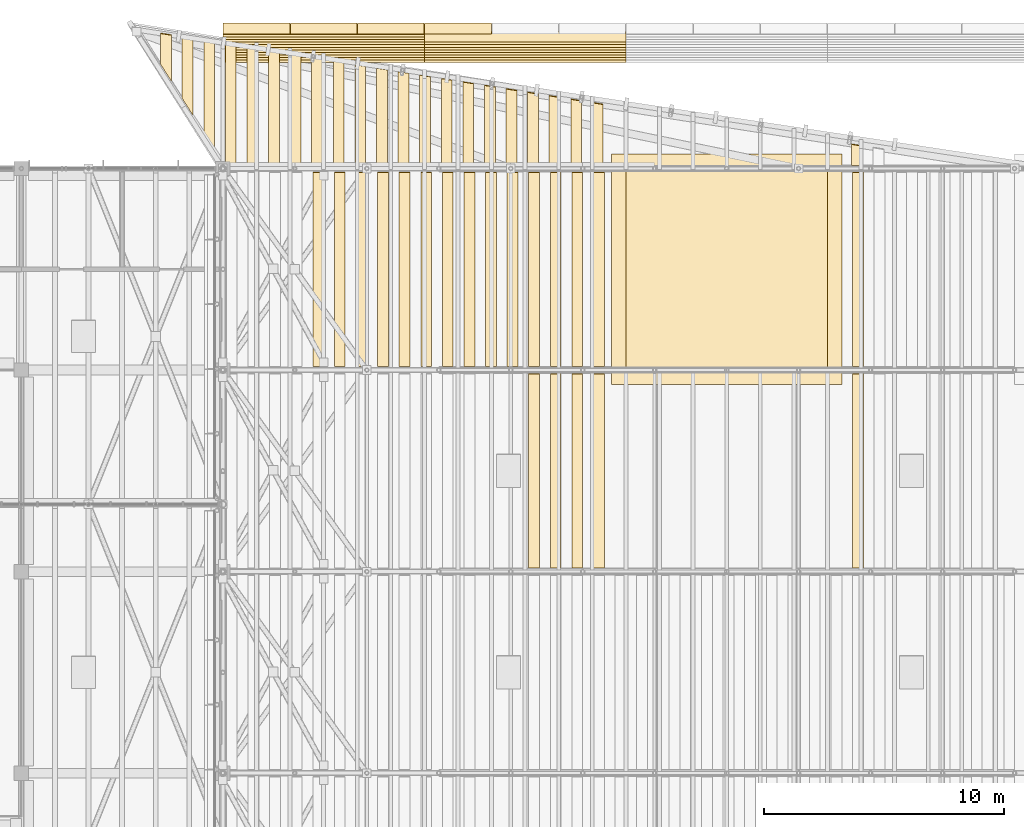
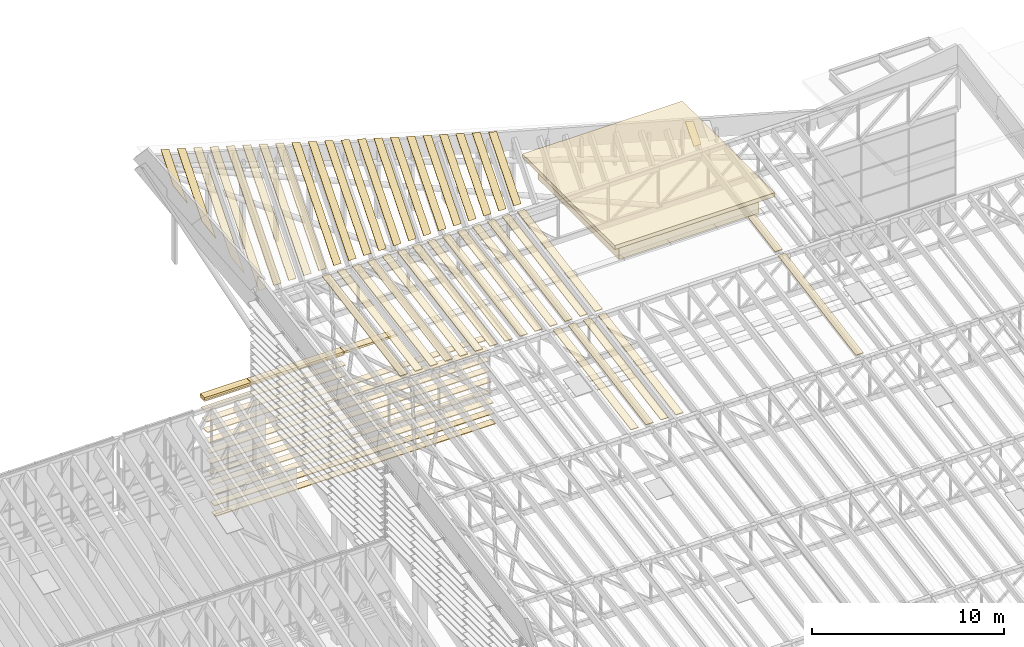
# One storey, part 86 of 91: 69 coverings.
"""IFC4 building model written with IfcOpenShell, lengths in metres."""

from ifc_helpers import new_model, si_unit, direction, frame, origin, origin_2d, place, context, subcontext, project, spatial, polyline, rectangle, outline, extrude, material, layer, layer_set, material_profile, profile_set, type_object, element, save


model = new_model("IFC4")

# Units and contexts
model_context = context("Model", 3, precision=1e-05, world=origin(), true_north=direction((0.0, 1.0)))
body_context = subcontext(model_context, "Body", "Model", "MODEL_VIEW")
ifc_project = project(units=[si_unit("LENGTHUNIT", "METRE"), si_unit("AREAUNIT", "SQUARE_METRE"), si_unit("VOLUMEUNIT", "CUBIC_METRE"), si_unit("PLANEANGLEUNIT", "RADIAN"), si_unit("MASSUNIT", "GRAM", prefix="KILO")], contexts=[model_context])

# Site, building, storey
site_placement = place(None, origin())
site = spatial("IfcSite", under=ifc_project, at=site_placement, CompositionType="ELEMENT")
building_placement = place(site_placement, origin())
building = spatial("IfcBuilding", under=site, at=building_placement, Name="Almond Square Museum", CompositionType="ELEMENT")
storey_placement = place(building_placement, frame((0.0, 0.0, 30.0)))
storey = spatial("IfcBuildingStorey", under=building, at=storey_placement, Name="L05", CompositionType="ELEMENT", Elevation=30.0)

# Coverings
ifc_material_1 = material(Name="Cedar timber roof board", Category="wood")
ifc_layer_1 = layer(ifc_material_1, 0.0400390625)
ifc_layer_set_1 = layer_set([ifc_layer_1], Name="Cedar timber roof board")
covering_type_1 = type_object("IfcCoveringType", Name="Hall roof board 450 x 40", PredefinedType="CLADDING", material=ifc_layer_set_1)
for number, where, z_axis, x_axis, name in (
    (1, (120.0, 100.64990234375, 15.293701171875), (0.0, -0.17238105195, 0.985030341121), (-1.0, 0.0, 0.0), "Hall roof board"),
    (2, (120.89990234375, 100.64990234375, 15.293701171875), (0.0, -0.17238105195, 0.985030341121), (-1.0, 0.0, 0.0), "Hall roof board"),
    (3, (121.800048828125, 100.64990234375, 15.293701171875), (0.0, -0.17238105195, 0.985030341121), (-1.0, 0.0, 0.0), "Hall roof board"),
    (4, (122.699951171875, 100.64990234375, 15.293701171875), (0.0, -0.17238105195, 0.985030341121), (-1.0, 0.0, 0.0), "Hall roof board"),
    (5, (133.5, 100.64990234375, 15.293701171875), (0.0, -0.17238105195, 0.985030341121), (-1.0, 0.0, 0.0), "Hall roof board"),
):
    element("IfcCovering", number, at=place(storey_placement, frame(where, z_axis=z_axis, x_axis=x_axis)), inside=storey, type_object=covering_type_1, Name=name, PredefinedType="CLADDING", context=body_context, shape_type="SweptSolid", body=[
        extrude(outline(polyline([(0.0, 0.0), (0.449951171875, 0.0), (0.449951171875, 8.22294824584652), (0.0, 8.22294824584652), (0.0, 0.0)])), origin(), (0.0, 0.0, 1.0), 0.0400390625),
    ])
for number, where, z_axis, x_axis, name in (
    (6, (111.0, 109.050048828125, 16.763916015625), (0.0, -0.172404817585, 0.985026181821), (-1.0, 0.0, 0.0), "Hall roof board"),
    (7, (111.89990234375, 109.050048828125, 16.763916015625), (0.0, -0.172404817585, 0.985026181821), (-1.0, 0.0, 0.0), "Hall roof board"),
    (8, (112.800048828125, 109.050048828125, 16.763916015625), (0.0, -0.172404817585, 0.985026181821), (-1.0, 0.0, 0.0), "Hall roof board"),
    (9, (113.699951171875, 109.050048828125, 16.763916015625), (0.0, -0.172404817585, 0.985026181821), (-1.0, 0.0, 0.0), "Hall roof board"),
):
    element("IfcCovering", number, at=place(storey_placement, frame(where, z_axis=z_axis, x_axis=x_axis)), inside=storey, type_object=covering_type_1, Name=name, PredefinedType="CLADDING", context=body_context, shape_type="SweptSolid", body=[
        extrude(outline(polyline([(0.0, 0.0), (0.449951171875, 0.0), (0.449951171875, 8.2232308193808), (0.0, 8.2232308193808), (0.0, 0.0)])), origin(), (0.0, 0.0, 1.0), 0.0400390625),
    ])
covering_1_placement = place(storey_placement, frame((114.60009765625, 109.050048828125, 16.763916015625), z_axis=(0.0, -0.172404817585, 0.985026181821), x_axis=(-1.0, 0.0, 0.0)))
element("IfcCovering", 10, at=covering_1_placement, inside=storey, type_object=covering_type_1, Name="Hall roof board", PredefinedType="CLADDING", context=body_context, shape_type="SweptSolid", body=[
    extrude(outline(polyline([(0.0, 0.0), (0.4501953125, 0.0), (0.4501953125, 8.2232308193808), (0.0, 8.2232308193808), (0.0, 0.0)])), origin(), (0.0, 0.0, 1.0), 0.0400390625),
])
for number, where, z_axis, x_axis, name in (
    (11, (115.5, 109.050048828125, 16.763916015625), (0.0, -0.172404817585, 0.985026181821), (-1.0, 0.0, 0.0), "Hall roof board"),
    (12, (116.39990234375, 109.050048828125, 16.763916015625), (0.0, -0.172404817585, 0.985026181821), (-1.0, 0.0, 0.0), "Hall roof board"),
    (13, (117.300048828125, 109.050048828125, 16.763916015625), (0.0, -0.172404817585, 0.985026181821), (-1.0, 0.0, 0.0), "Hall roof board"),
    (14, (118.199951171875, 109.050048828125, 16.763916015625), (0.0, -0.172404817585, 0.985026181821), (-1.0, 0.0, 0.0), "Hall roof board"),
):
    element("IfcCovering", number, at=place(storey_placement, frame(where, z_axis=z_axis, x_axis=x_axis)), inside=storey, type_object=covering_type_1, Name=name, PredefinedType="CLADDING", context=body_context, shape_type="SweptSolid", body=[
        extrude(outline(polyline([(0.0, 0.0), (0.449951171875, 0.0), (0.449951171875, 8.2232308193808), (0.0, 8.2232308193808), (0.0, 0.0)])), origin(), (0.0, 0.0, 1.0), 0.0400390625),
    ])
covering_2_placement = place(storey_placement, frame((119.10009765625, 109.050048828125, 16.763916015625), z_axis=(0.0, -0.172404817585, 0.985026181821), x_axis=(-1.0, 0.0, 0.0)))
element("IfcCovering", 15, at=covering_2_placement, inside=storey, type_object=covering_type_1, Name="Hall roof board", PredefinedType="CLADDING", context=body_context, shape_type="SweptSolid", body=[
    extrude(outline(polyline([(0.0, 0.0), (0.4501953125, 0.0), (0.4501953125, 8.2232308193808), (0.0, 8.2232308193808), (0.0, 0.0)])), origin(), (0.0, 0.0, 1.0), 0.0400390625),
])
for number, where, z_axis, x_axis, name in (
    (16, (120.0, 109.050048828125, 16.763916015625), (0.0, -0.172404817585, 0.985026181821), (-1.0, 0.0, 0.0), "Hall roof board"),
    (17, (120.89990234375, 109.050048828125, 16.763916015625), (0.0, -0.172404817585, 0.985026181821), (-1.0, 0.0, 0.0), "Hall roof board"),
    (18, (121.800048828125, 109.050048828125, 16.763916015625), (0.0, -0.172404817585, 0.985026181821), (-1.0, 0.0, 0.0), "Hall roof board"),
    (19, (122.699951171875, 109.050048828125, 16.763916015625), (0.0, -0.172404817585, 0.985026181821), (-1.0, 0.0, 0.0), "Hall roof board"),
    (20, (133.5, 109.050048828125, 16.763916015625), (0.0, -0.172404817585, 0.985026181821), (-1.0, 0.0, 0.0), "Hall roof board"),
):
    element("IfcCovering", number, at=place(storey_placement, frame(where, z_axis=z_axis, x_axis=x_axis)), inside=storey, type_object=covering_type_1, Name=name, PredefinedType="CLADDING", context=body_context, shape_type="SweptSolid", body=[
        extrude(outline(polyline([(0.0, 0.0), (0.449951171875, 0.0), (0.449951171875, 8.2232308193808), (0.0, 8.2232308193808), (0.0, 0.0)])), origin(), (0.0, 0.0, 1.0), 0.0400390625),
    ])
covering_3_placement = place(storey_placement, frame((104.65478515625, 114.78271484375, 23.443115234375), z_axis=(0.000283157404, -0.766028266643, 0.642806825202), x_axis=(-0.970356289349, 0.155142250333, 0.185309346453)))
element("IfcCovering", 21, at=covering_3_placement, inside=storey, type_object=covering_type_1, Name="Hall roof board", PredefinedType="CLADDING", context=body_context, shape_type="SweptSolid", body=[
    extrude(outline(polyline([(0.0, 0.0), (0.4639484500387893, -1.3877787807814457e-17), (-0.01600793783809873, 1.9270573930978667), (-0.7200213823878043, 2.890934433563722), (0.0, 0.0)])), origin(), (0.0, 0.0, 1.0), 0.0400390625),
])
covering_4_placement = place(storey_placement, frame((105.5546875, 114.63818359375, 23.27099609375), z_axis=(0.000224098135, -0.766040524034, 0.642792241177), x_axis=(-0.970151291048, 0.155710810429, 0.185904857368)))
element("IfcCovering", 22, at=covering_4_placement, inside=storey, type_object=covering_type_1, Name="Hall roof board", PredefinedType="CLADDING", context=body_context, shape_type="SweptSolid", body=[
    extrude(outline(polyline([(0.0, 0.0), (0.4637948349462297, 0.0), (-0.4995102208420264, 3.8538156237456507), (-1.2041028082343872, 4.817155336435556), (0.0, 0.0)])), origin(), (0.0, 0.0, 1.0), 0.0400390625),
])
covering_5_placement = place(storey_placement, frame((106.45458984375, 114.493896484375, 23.09912109375), z_axis=(2.019333e-05, -0.766054564323, 0.642775547195), x_axis=(-0.970325567005, 0.155409517617, 0.185246257319)))
element("IfcCovering", 23, at=covering_5_placement, inside=storey, type_object=covering_type_1, Name="Hall roof board", PredefinedType="CLADDING", context=body_context, shape_type="SweptSolid", body=[
    extrude(outline(polyline([(0.0, 0.0), (0.4637115503572531, -2.7755575615628914e-17), (-0.9770289598256388, 5.781533313685835), (-1.680966067348891, 6.745532081410319), (0.0, 0.0)])), origin(), (0.0, 0.0, 1.0), 0.0400390625),
])
covering_6_placement = place(storey_placement, frame((107.354736328125, 114.349609375, 22.927001953125), z_axis=(7.4241479e-05, -0.766050702434, 0.642780145765), x_axis=(-0.970325565043, 0.155370453714, 0.185279032644)))
element("IfcCovering", 24, at=covering_6_placement, inside=storey, type_object=covering_type_1, Name="Hall roof board", PredefinedType="CLADDING", context=body_context, shape_type="SweptSolid", body=[
    extrude(outline(polyline([(0.0, 0.0), (0.4637115526635254, -1.3877787807814457e-17), (-1.4441164371216022, 7.655904096574314), (-1.880715562212814, 7.547104924126278), (0.0, 0.0)])), origin(), (0.0, 0.0, 1.0), 0.0400390625),
])
covering_7_placement = place(storey_placement, frame((108.254638671875, 114.205078125, 22.7548828125), z_axis=(-0.00013342144, -0.766049851918, 0.642781149829), x_axis=(-0.970246112092, 0.155729832006, 0.185393369338)))
element("IfcCovering", 25, at=covering_7_placement, inside=storey, type_object=covering_type_1, Name="Hall roof board", PredefinedType="CLADDING", context=body_context, shape_type="SweptSolid", body=[
    extrude(outline(polyline([(0.0, 0.0), (0.4637495314613259, 1.3877787807814457e-17), (-1.3922125751913288, 7.437363005688504), (-1.8287759503341596, 7.328420484368275), (0.0, 0.0)])), origin(), (0.0, 0.0, 1.0), 0.0400390625),
])
covering_8_placement = place(storey_placement, frame((109.15478515625, 114.060791015625, 22.582763671875), z_axis=(7.4538919e-05, -0.766048959331, 0.642782223115), x_axis=(-0.970356324657, 0.155291369932, 0.18518421537)))
element("IfcCovering", 26, at=covering_8_placement, inside=storey, type_object=covering_type_1, Name="Hall roof board", PredefinedType="CLADDING", context=body_context, shape_type="SweptSolid", body=[
    extrude(outline(polyline([(0.0, 0.0), (0.4639484522969378, 0.0), (-1.3343068731937957, 7.220116510251335), (-1.7711567420092487, 7.111313889019964), (0.0, 0.0)])), origin(), (0.0, 0.0, 1.0), 0.0400390625),
])
covering_9_placement = place(storey_placement, frame((110.0546875, 113.916259765625, 22.41064453125), z_axis=(-0.000133062161, -0.766048001086, 0.64278335567), x_axis=(-0.970246111955, 0.155730099274, 0.185393145548)))
element("IfcCovering", 27, at=covering_9_placement, inside=storey, type_object=covering_type_1, Name="Hall roof board", PredefinedType="CLADDING", context=body_context, shape_type="SweptSolid", body=[
    extrude(outline(polyline([(0.0, 0.0), (0.4637495314822246, 1.3877787807814457e-17), (-1.2834154484007863, 7.001382245115495), (-1.7199788234821463, 6.8924397234599715), (0.0, 0.0)])), origin(), (0.0, 0.0, 1.0), 0.0400390625),
])
covering_10_placement = place(storey_placement, frame((110.95458984375, 113.77197265625, 22.238525390625), z_axis=(0.000247934396, -0.766054241193, 0.642775884799), x_axis=(-0.970230847318, 0.155484376043, 0.185679055684)))
element("IfcCovering", 28, at=covering_10_placement, inside=storey, type_object=covering_type_1, Name="Hall roof board", PredefinedType="CLADDING", context=body_context, shape_type="SweptSolid", body=[
    extrude(outline(polyline([(0.0, 0.0), (0.46375684794815747, -1.3877787807814457e-17), (-1.2294628867713635, 6.783390616084656), (-1.6660193935112666, 6.674420615398833), (0.0, 0.0)])), origin(), (0.0, 0.0, 1.0), 0.0400390625),
])
covering_11_placement = place(storey_placement, frame((111.854736328125, 113.62744140625, 22.06640625), z_axis=(4.0269636e-05, -0.766053424251, 0.642776904977), x_axis=(-0.97015131472, 0.155843703641, 0.185793343752)))
element("IfcCovering", 29, at=covering_11_placement, inside=storey, type_object=covering_type_1, Name="Hall roof board", PredefinedType="CLADDING", context=body_context, shape_type="SweptSolid", body=[
    extrude(outline(polyline([(0.0, 0.0), (0.4637948387820109, 1.3877787807814457e-17), (-1.1771869707799985, 6.5649414080954), (-1.613707691734278, 6.455828086631291), (0.0, 0.0)])), origin(), (0.0, 0.0, 1.0), 0.0400390625),
])
covering_12_placement = place(storey_placement, frame((112.754638671875, 113.483154296875, 21.89453125), z_axis=(-0.000133649876, -0.766051028709, 0.64277974731), x_axis=(-0.970246112179, 0.15572966207, 0.185393511627)))
element("IfcCovering", 30, at=covering_12_placement, inside=storey, type_object=covering_type_1, Name="Hall roof board", PredefinedType="CLADDING", context=body_context, shape_type="SweptSolid", body=[
    extrude(outline(polyline([(0.0, 0.0), (0.4637495314480088, 1.3877787807814457e-17), (-1.1202840222246135, 6.34766869678041), (-1.556847397406615, 6.238726175673837), (0.0, 0.0)])), origin(), (0.0, 0.0, 1.0), 0.0400390625),
])
covering_13_placement = place(storey_placement, frame((113.65478515625, 113.3388671875, 21.722412109375), z_axis=(7.4333925e-05, -0.766050017443, 0.642780962109), x_axis=(-0.970356324614, 0.155291217626, 0.185184343318)))
element("IfcCovering", 31, at=covering_13_placement, inside=storey, type_object=covering_type_1, Name="Hall roof board", PredefinedType="CLADDING", context=body_context, shape_type="SweptSolid", body=[
    extrude(outline(polyline([(0.0, 0.0), (0.46394845230360365, 1.3877787807814457e-17), (-1.062874804624085, 6.1302984260660764), (-1.4997246734199297, 6.021495804727553), (0.0, 0.0)])), origin(), (0.0, 0.0, 1.0), 0.0400390625),
])
covering_14_placement = place(storey_placement, frame((114.5546875, 113.1943359375, 21.55029296875), z_axis=(3.9519581e-05, -0.766057281803, 0.642772307614), x_axis=(-0.970151314634, 0.155843146353, 0.185793811651)))
element("IfcCovering", 32, at=covering_14_placement, inside=storey, type_object=covering_type_1, Name="Hall roof board", PredefinedType="CLADDING", context=body_context, shape_type="SweptSolid", body=[
    extrude(outline(polyline([(0.0, 0.0), (0.463794838795073, 0.0), (-1.0137997995711512, 5.911291733706915), (-1.4503205204870129, 5.802178412033588), (0.0, 0.0)])), origin(), (0.0, 0.0, 1.0), 0.0400390625),
])
covering_15_placement = place(storey_placement, frame((115.45458984375, 113.050048828125, 21.378173828125), z_axis=(4.1696219e-05, -0.766046087228, 0.642785648957), x_axis=(-0.970151314887, 0.155844763572, 0.185792453805)))
element("IfcCovering", 33, at=covering_15_placement, inside=storey, type_object=covering_type_1, Name="Hall roof board", PredefinedType="CLADDING", context=body_context, shape_type="SweptSolid", body=[
    extrude(outline(polyline([(0.0, 0.0), (0.46379483875648947, 2.7755575615628914e-17), (-0.9593349674719691, 5.693398778195055), (-1.3958556885013123, 5.584285457139727), (0.0, 0.0)])), origin(), (0.0, 0.0, 1.0), 0.0400390625),
])
covering_16_placement = place(storey_placement, frame((116.354736328125, 112.905517578125, 21.206298828125), z_axis=(-0.00013627009, -0.76606452656, 0.642763659969), x_axis=(-0.970246113188, 0.155727712843, 0.18539514367)))
element("IfcCovering", 34, at=covering_16_placement, inside=storey, type_object=covering_type_1, Name="Hall roof board", PredefinedType="CLADDING", context=body_context, shape_type="SweptSolid", body=[
    extrude(outline(polyline([(0.0, 0.0), (0.46374953129362956, 0.0), (-0.9027350107918166, 5.475888644683307), (-1.339298386427906, 5.366946126053557), (0.0, 0.0)])), origin(), (0.0, 0.0, 1.0), 0.0400390625),
])
covering_17_placement = place(storey_placement, frame((117.254638671875, 112.76123046875, 21.0341796875), z_axis=(-0.000133973989, -0.766052698372, 0.642777757369), x_axis=(-0.970246112303, 0.15572942096, 0.18539371351)))
element("IfcCovering", 35, at=covering_17_placement, inside=storey, type_object=covering_type_1, Name="Hall roof board", PredefinedType="CLADDING", context=body_context, shape_type="SweptSolid", body=[
    extrude(outline(polyline([(0.0, 0.0), (0.463749531429075, 0.0), (-0.8483554692525557, 5.257974387859023), (-1.2849188444902486, 5.14903186705622), (0.0, 0.0)])), origin(), (0.0, 0.0, 1.0), 0.0400390625),
])
covering_18_placement = place(storey_placement, frame((118.15478515625, 112.61669921875, 20.862060546875), z_axis=(-0.000135944811, -0.766063230911, 0.642765204228), x_axis=(-0.970276951225, 0.155648395763, 0.185300336802)))
element("IfcCovering", 36, at=covering_18_placement, inside=storey, type_object=covering_type_1, Name="Hall roof board", PredefinedType="CLADDING", context=body_context, shape_type="SweptSolid", body=[
    extrude(outline(polyline([(0.0, 0.0), (0.46398641156203396, 2.7755575615628914e-17), (-0.7930589131400461, 5.040068071189283), (-1.2298730484081548, 4.931122089706271), (0.0, 0.0)])), origin(), (0.0, 0.0, 1.0), 0.0400390625),
])
covering_19_placement = place(storey_placement, frame((119.0546875, 112.472412109375, 20.68994140625), z_axis=(-0.000133501002, -0.766050261781, 0.642780661348), x_axis=(-0.970246112122, 0.155729772819, 0.185393418896)))
element("IfcCovering", 37, at=covering_19_placement, inside=storey, type_object=covering_type_1, Name="Hall roof board", PredefinedType="CLADDING", context=body_context, shape_type="SweptSolid", body=[
    extrude(outline(polyline([(0.0, 0.0), (0.46374953145669034, 1.3877787807814457e-17), (-0.7395583424682444, 4.8219936272562025), (-1.1761217176247105, 4.7130511060103455), (0.0, 0.0)])), origin(), (0.0, 0.0, 1.0), 0.0400390625),
])
covering_20_placement = place(storey_placement, frame((119.95458984375, 112.328125, 20.517822265625), z_axis=(4.1555322e-05, -0.766046811874, 0.64278478536), x_axis=(-0.97015131487, 0.155844658888, 0.185792541702)))
element("IfcCovering", 38, at=covering_20_placement, inside=storey, type_object=covering_type_1, Name="Hall roof board", PredefinedType="CLADDING", context=body_context, shape_type="SweptSolid", body=[
    extrude(outline(polyline([(0.0, 0.0), (0.4637948387590497, 0.0), (-0.6869800914392543, 4.603810945052919), (-1.1235008124610675, 4.494697623956585), (0.0, 0.0)])), origin(), (0.0, 0.0, 1.0), 0.0400390625),
])
covering_21_placement = place(storey_placement, frame((120.854736328125, 112.18359375, 20.345703125), z_axis=(3.9255895e-05, -0.766058637934, 0.642770691386), x_axis=(-0.970151314605, 0.155842950434, 0.185793976141)))
element("IfcCovering", 39, at=covering_21_placement, inside=storey, type_object=covering_type_1, Name="Hall roof board", PredefinedType="CLADDING", context=body_context, shape_type="SweptSolid", body=[
    extrude(outline(polyline([(0.0, 0.0), (0.4637948387996067, 1.3877787807814457e-17), (-0.6324772187281313, 4.385765742331137), (-1.0689979396306586, 4.276652420585194), (0.0, 0.0)])), origin(), (0.0, 0.0, 1.0), 0.0400390625),
])
covering_22_placement = place(storey_placement, frame((121.754638671875, 112.039306640625, 20.173583984375), z_axis=(4.2225826e-05, -0.766043363391, 0.642788895067), x_axis=(-0.97015131495, 0.155845157057, 0.185792123413)))
element("IfcCovering", 40, at=covering_22_placement, inside=storey, type_object=covering_type_1, Name="Hall roof board", PredefinedType="CLADDING", context=body_context, shape_type="SweptSolid", body=[
    extrude(outline(polyline([(0.0, 0.0), (0.4637948387467888, 1.3877787807814457e-17), (-0.5780123866154994, 4.167872786810905), (-1.0145331076733743, 4.058759465910955), (0.0, 0.0)])), origin(), (0.0, 0.0, 1.0), 0.0400390625),
])
covering_23_placement = place(storey_placement, frame((122.65478515625, 111.89501953125, 20.001708984375), z_axis=(7.3579907e-05, -0.766053909429, 0.642776323798), x_axis=(-0.970356324455, 0.155290657402, 0.185184813941)))
element("IfcCovering", 41, at=covering_23_placement, inside=storey, type_object=covering_type_1, Name="Hall roof board", PredefinedType="CLADDING", context=body_context, shape_type="SweptSolid", body=[
    extrude(outline(polyline([(0.0, 0.0), (0.46394845232796456, 0.0), (-0.5200106674957008, 3.9506622578805946), (-0.9568605362198856, 3.841859636150474), (0.0, 0.0)])), origin(), (0.0, 0.0, 1.0), 0.0400390625),
])
covering_24_placement = place(storey_placement, frame((133.45458984375, 110.162353515625, 17.936767578125), z_axis=(3.9693941e-05, -0.766056385064, 0.642773376336), x_axis=(-0.970151314654, 0.155843275902, 0.185793702882)))
element("IfcCovering", 42, at=covering_24_placement, inside=storey, type_object=covering_type_1, Name="Hall roof board", PredefinedType="CLADDING", context=body_context, shape_type="SweptSolid", body=[
    extrude(outline(polyline([(0.0, 0.0), (0.46379483879205846, -1.3877787807814457e-17), (0.13008453663374567, 1.33504744599152), (-0.30643618429098235, 1.2259341243664776), (0.0, 0.0)])), origin(), (0.0, 0.0, 1.0), 0.0400390625),
])
ifc_material_2 = material(Name="Timber deck and zinc standing seam", Category="wood")
ifc_layer_2 = layer(ifc_material_2, 0.25)
ifc_layer_set_2 = layer_set([ifc_layer_2], Name="Timber deck and zinc standing seam")
covering_type_2 = type_object("IfcCoveringType", Name="Head house cap, timber and zinc", PredefinedType="CLADDING", material=ifc_layer_set_2)
covering_25_placement = place(storey_placement, frame((127.800048828125, 105.0, 19.489990234375), z_axis=(0.0, 0.0, 1.0), x_axis=(1.0, 0.0, 0.0)))
element("IfcCovering", 43, at=covering_25_placement, inside=storey, type_object=covering_type_2, Name="Head house roof cap H4", PredefinedType="CLADDING", context=body_context, shape_type="SweptSolid", body=[
    extrude(rectangle(XDim=9.60009765625, YDim=9.60009765625, at=origin_2d()), origin(), (0.0, 0.0, 1.0), 0.25),
])
ifc_material_3 = material(Name="Zinc standing seam cladding")
ifc_layer_3 = layer(ifc_material_3, 1.199951171875)
ifc_layer_set_3 = layer_set([ifc_layer_3], Name="Zinc standing seam cladding")
covering_type_3 = type_object("IfcCoveringType", Name="Lift overrun cladding 1200", PredefinedType="CLADDING", material=ifc_layer_set_3)
covering_26_placement = place(storey_placement, frame((127.800048828125, 105.0, 18.2900390625), z_axis=(0.0, 0.0, 1.0), x_axis=(1.0, 0.0, 0.0)))
element("IfcCovering", 44, at=covering_26_placement, inside=storey, type_object=covering_type_3, Name="Lift overrun cladding H4", PredefinedType="CLADDING", context=body_context, shape_type="SweptSolid", body=[
    extrude(rectangle(XDim=8.39990234375, YDim=8.39990234375, at=origin_2d()), origin(), (0.0, 0.0, 1.0), 1.199951171875),
])
ifc_material_4 = material(Name="Cedar timber louvre board", Category="wood")
ifc_material_profile_1 = material_profile(ifc_material_4, rectangle(XDim=0.449951171875, YDim=0.050048828125, at=origin_2d()))
ifc_profile_set_1 = profile_set([ifc_material_profile_1], Name="Cedar timber louvre board")
covering_type_4 = type_object("IfcCoveringType", Name="Louvre board 450 x 50", PredefinedType="CLADDING", material=ifc_profile_set_1)
covering_27_placement = place(storey_placement, frame((106.800048828125, 113.843994140625, 0.10009765625), z_axis=(1.0, 0.0, 0.0), x_axis=(0.0, 1.0, 0.0)))
element("IfcCovering", 45, at=covering_27_placement, inside=storey, type_object=covering_type_4, Name="Louvre board N39.01", PredefinedType="CLADDING", context=body_context, shape_type="SweptSolid", body=[
    extrude(rectangle(XDim=0.449951171875, YDim=0.050048828125, at=origin_2d()), origin(), (0.0, 0.0, 1.0), 8.39990234375),
])
covering_28_placement = place(storey_placement, frame((115.199951171875, 113.843994140625, 0.10009765625), z_axis=(1.0, 0.0, 0.0), x_axis=(0.0, 1.0, 0.0)))
element("IfcCovering", 46, at=covering_28_placement, inside=storey, type_object=covering_type_4, Name="Louvre board N39.02", PredefinedType="CLADDING", context=body_context, shape_type="SweptSolid", body=[
    extrude(rectangle(XDim=0.449951171875, YDim=0.050048828125, at=origin_2d()), origin(), (0.0, 0.0, 1.0), 8.400146484375),
])
covering_29_placement = place(storey_placement, frame((106.800048828125, 113.949951171875, 0.699951171875), z_axis=(1.0, 0.0, 0.0), x_axis=(0.0, 1.0, 0.0)))
element("IfcCovering", 47, at=covering_29_placement, inside=storey, type_object=covering_type_4, Name="Louvre board N40.01", PredefinedType="CLADDING", context=body_context, shape_type="SweptSolid", body=[
    extrude(rectangle(XDim=0.449951171875, YDim=0.050048828125, at=origin_2d()), origin(), (0.0, 0.0, 1.0), 8.39990234375),
])
covering_30_placement = place(storey_placement, frame((115.199951171875, 113.949951171875, 0.699951171875), z_axis=(1.0, 0.0, 0.0), x_axis=(0.0, 1.0, 0.0)))
element("IfcCovering", 48, at=covering_30_placement, inside=storey, type_object=covering_type_4, Name="Louvre board N40.02", PredefinedType="CLADDING", context=body_context, shape_type="SweptSolid", body=[
    extrude(rectangle(XDim=0.449951171875, YDim=0.050048828125, at=origin_2d()), origin(), (0.0, 0.0, 1.0), 8.400146484375),
])
covering_31_placement = place(storey_placement, frame((106.800048828125, 114.0556640625, 1.300048828125), z_axis=(1.0, 0.0, 0.0), x_axis=(0.0, 1.0, 0.0)))
element("IfcCovering", 49, at=covering_31_placement, inside=storey, type_object=covering_type_4, Name="Louvre board N41.01", PredefinedType="CLADDING", context=body_context, shape_type="SweptSolid", body=[
    extrude(rectangle(XDim=0.449951171875, YDim=0.050048828125, at=origin_2d()), origin(), (0.0, 0.0, 1.0), 8.39990234375),
])
covering_32_placement = place(storey_placement, frame((115.199951171875, 114.0556640625, 1.300048828125), z_axis=(1.0, 0.0, 0.0), x_axis=(0.0, 1.0, 0.0)))
element("IfcCovering", 50, at=covering_32_placement, inside=storey, type_object=covering_type_4, Name="Louvre board N41.02", PredefinedType="CLADDING", context=body_context, shape_type="SweptSolid", body=[
    extrude(rectangle(XDim=0.449951171875, YDim=0.050048828125, at=origin_2d()), origin(), (0.0, 0.0, 1.0), 8.400146484375),
])
covering_33_placement = place(storey_placement, frame((106.800048828125, 114.161376953125, 1.89990234375), z_axis=(1.0, 0.0, 0.0), x_axis=(0.0, 1.0, 0.0)))
element("IfcCovering", 51, at=covering_33_placement, inside=storey, type_object=covering_type_4, Name="Louvre board N42.01", PredefinedType="CLADDING", context=body_context, shape_type="SweptSolid", body=[
    extrude(rectangle(XDim=0.449951171875, YDim=0.050048828125, at=origin_2d()), origin(), (0.0, 0.0, 1.0), 8.39990234375),
])
covering_34_placement = place(storey_placement, frame((115.199951171875, 114.161376953125, 1.89990234375), z_axis=(1.0, 0.0, 0.0), x_axis=(0.0, 1.0, 0.0)))
element("IfcCovering", 52, at=covering_34_placement, inside=storey, type_object=covering_type_4, Name="Louvre board N42.02", PredefinedType="CLADDING", context=body_context, shape_type="SweptSolid", body=[
    extrude(rectangle(XDim=0.449951171875, YDim=0.050048828125, at=origin_2d()), origin(), (0.0, 0.0, 1.0), 8.400146484375),
])
covering_35_placement = place(storey_placement, frame((106.800048828125, 114.267333984375, 2.5), z_axis=(1.0, 0.0, 0.0), x_axis=(0.0, 1.0, 0.0)))
element("IfcCovering", 53, at=covering_35_placement, inside=storey, type_object=covering_type_4, Name="Louvre board N43.01", PredefinedType="CLADDING", context=body_context, shape_type="SweptSolid", body=[
    extrude(rectangle(XDim=0.449951171875, YDim=0.050048828125, at=origin_2d()), origin(), (0.0, 0.0, 1.0), 8.39990234375),
])
covering_36_placement = place(storey_placement, frame((115.199951171875, 114.267333984375, 2.5), z_axis=(1.0, 0.0, 0.0), x_axis=(0.0, 1.0, 0.0)))
element("IfcCovering", 54, at=covering_36_placement, inside=storey, type_object=covering_type_4, Name="Louvre board N43.02", PredefinedType="CLADDING", context=body_context, shape_type="SweptSolid", body=[
    extrude(rectangle(XDim=0.449951171875, YDim=0.050048828125, at=origin_2d()), origin(), (0.0, 0.0, 1.0), 8.400146484375),
])
covering_37_placement = place(storey_placement, frame((106.800048828125, 114.373046875, 3.10009765625), z_axis=(1.0, 0.0, 0.0), x_axis=(0.0, 1.0, 0.0)))
element("IfcCovering", 55, at=covering_37_placement, inside=storey, type_object=covering_type_4, Name="Louvre board N44.01", PredefinedType="CLADDING", context=body_context, shape_type="SweptSolid", body=[
    extrude(rectangle(XDim=0.449951171875, YDim=0.050048828125, at=origin_2d()), origin(), (0.0, 0.0, 1.0), 8.39990234375),
])
covering_38_placement = place(storey_placement, frame((115.199951171875, 114.373046875, 3.10009765625), z_axis=(1.0, 0.0, 0.0), x_axis=(0.0, 1.0, 0.0)))
element("IfcCovering", 56, at=covering_38_placement, inside=storey, type_object=covering_type_4, Name="Louvre board N44.02", PredefinedType="CLADDING", context=body_context, shape_type="SweptSolid", body=[
    extrude(rectangle(XDim=0.449951171875, YDim=0.050048828125, at=origin_2d()), origin(), (0.0, 0.0, 1.0), 8.400146484375),
])
covering_39_placement = place(storey_placement, frame((106.800048828125, 114.478759765625, 3.699951171875), z_axis=(1.0, 0.0, 0.0), x_axis=(0.0, 1.0, 0.0)))
element("IfcCovering", 57, at=covering_39_placement, inside=storey, type_object=covering_type_4, Name="Louvre board N45.01", PredefinedType="CLADDING", context=body_context, shape_type="SweptSolid", body=[
    extrude(rectangle(XDim=0.449951171875, YDim=0.050048828125, at=origin_2d()), origin(), (0.0, 0.0, 1.0), 8.39990234375),
])
covering_40_placement = place(storey_placement, frame((115.199951171875, 114.478759765625, 3.699951171875), z_axis=(1.0, 0.0, 0.0), x_axis=(0.0, 1.0, 0.0)))
element("IfcCovering", 58, at=covering_40_placement, inside=storey, type_object=covering_type_4, Name="Louvre board N45.02", PredefinedType="CLADDING", context=body_context, shape_type="SweptSolid", body=[
    extrude(rectangle(XDim=0.449951171875, YDim=0.050048828125, at=origin_2d()), origin(), (0.0, 0.0, 1.0), 8.400146484375),
])
covering_41_placement = place(storey_placement, frame((106.800048828125, 114.584716796875, 4.300048828125), z_axis=(1.0, 0.0, 0.0), x_axis=(0.0, 1.0, 0.0)))
element("IfcCovering", 59, at=covering_41_placement, inside=storey, type_object=covering_type_4, Name="Louvre board N46.01", PredefinedType="CLADDING", context=body_context, shape_type="SweptSolid", body=[
    extrude(rectangle(XDim=0.449951171875, YDim=0.050048828125, at=origin_2d()), origin(), (0.0, 0.0, 1.0), 8.39990234375),
])
covering_42_placement = place(storey_placement, frame((115.199951171875, 114.584716796875, 4.300048828125), z_axis=(1.0, 0.0, 0.0), x_axis=(0.0, 1.0, 0.0)))
element("IfcCovering", 60, at=covering_42_placement, inside=storey, type_object=covering_type_4, Name="Louvre board N46.02", PredefinedType="CLADDING", context=body_context, shape_type="SweptSolid", body=[
    extrude(rectangle(XDim=0.449951171875, YDim=0.050048828125, at=origin_2d()), origin(), (0.0, 0.0, 1.0), 8.400146484375),
])
covering_43_placement = place(storey_placement, frame((106.800048828125, 114.6904296875, 4.89990234375), z_axis=(1.0, 0.0, 0.0), x_axis=(0.0, 1.0, 0.0)))
element("IfcCovering", 61, at=covering_43_placement, inside=storey, type_object=covering_type_4, Name="Louvre board N47.01", PredefinedType="CLADDING", context=body_context, shape_type="SweptSolid", body=[
    extrude(rectangle(XDim=0.449951171875, YDim=0.050048828125, at=origin_2d()), origin(), (0.0, 0.0, 1.0), 8.39990234375),
])
covering_44_placement = place(storey_placement, frame((115.199951171875, 114.6904296875, 4.89990234375), z_axis=(1.0, 0.0, 0.0), x_axis=(0.0, 1.0, 0.0)))
element("IfcCovering", 62, at=covering_44_placement, inside=storey, type_object=covering_type_4, Name="Louvre board N47.02", PredefinedType="CLADDING", context=body_context, shape_type="SweptSolid", body=[
    extrude(rectangle(XDim=0.449951171875, YDim=0.050048828125, at=origin_2d()), origin(), (0.0, 0.0, 1.0), 8.400146484375),
])
for number, where, z_axis, x_axis, name in (
    (63, (106.800048828125, 114.796142578125, 5.5), (1.0, 0.0, 0.0), (0.0, 1.0, 0.0), "Louvre board N48.01"),
    (64, (106.800048828125, 114.902099609375, 6.10009765625), (1.0, 0.0, 0.0), (0.0, 1.0, 0.0), "Louvre board N49.01"),
    (65, (106.800048828125, 115.0078125, 6.699951171875), (1.0, 0.0, 0.0), (0.0, 1.0, 0.0), "Louvre board N50.01"),
):
    element("IfcCovering", number, at=place(storey_placement, frame(where, z_axis=z_axis, x_axis=x_axis)), inside=storey, type_object=covering_type_4, Name=name, PredefinedType="CLADDING", context=body_context, shape_type="SweptSolid", body=[
        extrude(rectangle(XDim=0.449951171875, YDim=0.050048828125, at=origin_2d()), origin(), (0.0, 0.0, 1.0), 8.39990234375),
    ])
ifc_material_5 = material(Name="Cedar timber louvre board", Category="wood")
ifc_material_profile_2 = material_profile(ifc_material_5, rectangle(XDim=0.449951171875, YDim=0.139892578125, at=origin_2d()))
ifc_profile_set_2 = profile_set([ifc_material_profile_2], Name="Cedar timber louvre board")
covering_type_5 = type_object("IfcCoveringType", Name="Louvre skin fascia 450 x 140", PredefinedType="CLADDING", material=ifc_profile_set_2)
covering_45_placement = place(storey_placement, frame((106.81005859375, 115.03076171875, 6.830078125), z_axis=(1.0, 0.0, 0.0), x_axis=(0.0, 1.0, 0.0)))
element("IfcCovering", 66, at=covering_45_placement, inside=storey, type_object=covering_type_5, Name="Louvre skin fascia N01", PredefinedType="CLADDING", context=body_context, shape_type="SweptSolid", body=[
    extrude(rectangle(XDim=0.449951171875, YDim=0.139892578125, at=origin_2d()), origin(), (0.0, 0.0, 1.0), 2.780029296875),
])
covering_46_placement = place(storey_placement, frame((109.610107421875, 115.03076171875, 6.830078125), z_axis=(1.0, 0.0, 0.0), x_axis=(0.0, 1.0, 0.0)))
element("IfcCovering", 67, at=covering_46_placement, inside=storey, type_object=covering_type_5, Name="Louvre skin fascia N02", PredefinedType="CLADDING", context=body_context, shape_type="SweptSolid", body=[
    extrude(rectangle(XDim=0.449951171875, YDim=0.139892578125, at=origin_2d()), origin(), (0.0, 0.0, 1.0), 2.77978515625),
])
for number, where, z_axis, x_axis, name in (
    (68, (112.409912109375, 115.03076171875, 6.830078125), (1.0, 0.0, 0.0), (0.0, 1.0, 0.0), "Louvre skin fascia N03"),
    (69, (115.2099609375, 115.03076171875, 6.830078125), (1.0, 0.0, 0.0), (0.0, 1.0, 0.0), "Louvre skin fascia N04"),
):
    element("IfcCovering", number, at=place(storey_placement, frame(where, z_axis=z_axis, x_axis=x_axis)), inside=storey, type_object=covering_type_5, Name=name, PredefinedType="CLADDING", context=body_context, shape_type="SweptSolid", body=[
        extrude(rectangle(XDim=0.449951171875, YDim=0.139892578125, at=origin_2d()), origin(), (0.0, 0.0, 1.0), 2.780029296875),
    ])

save(model, "model.ifc")
